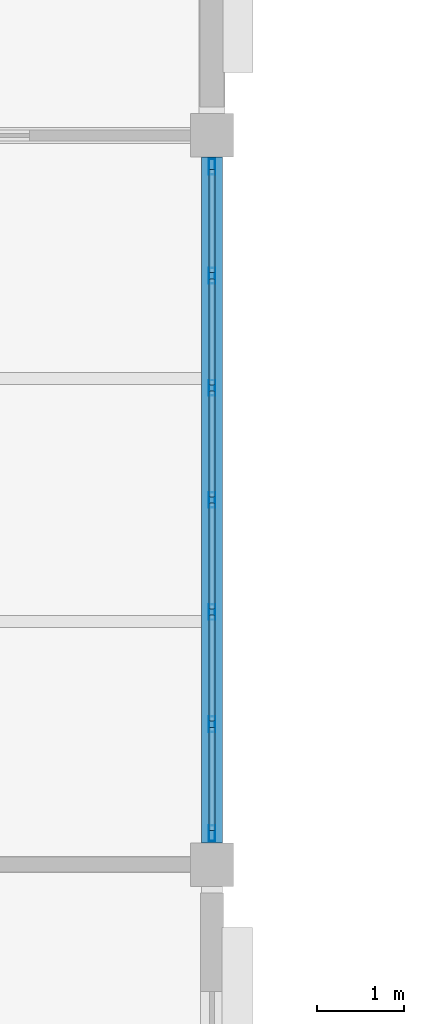
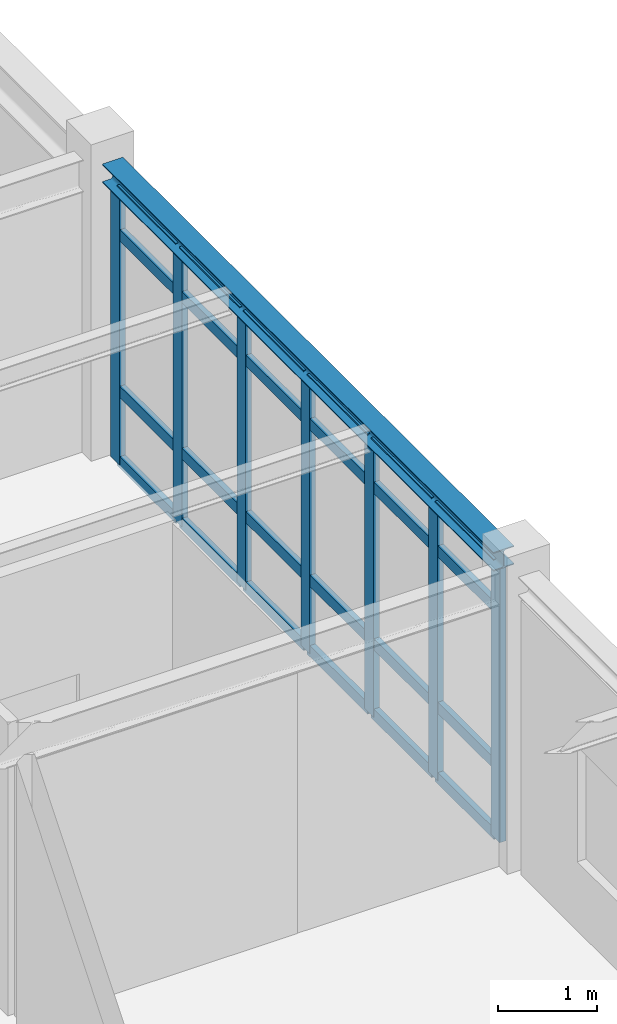
# One storey, part 11 of 53: 31 members, 1 beam, 1 element without a shape of its own.
"""IFC4 building model written with IfcOpenShell, lengths in metres."""

import ifcopenshell
import ifcopenshell.guid

model = None  # the IFC model being written
_history = None  # IfcOwnerHistory: only IFC2X3 demands one
_inside = {}  # id of a spatial element -> (the spatial element, [elements in it])
_under = {}  # id of a project, library or spatial element -> (it, [spatial elements below it])
_declared = {}  # id of a project -> (the project, [libraries it declares])
_typed = {}  # id of a type object -> (the type object, [elements of that type])
_made_of = {}  # id of a material, layer set ... -> (it, [elements and type objects made of it])


def new_model(schema):
    """Start an empty IFC model of exactly this schema.

    Asked for "IFC4X3", IfcOpenShell would pick the latest addendum, in which some entities
    have other attributes; the version numbers below select the first issue.
    IFC2X3 requires an IfcOwnerHistory on every rooted entity: one is made here for all.
    """
    global model, _history
    if schema == "IFC4X3":
        model = ifcopenshell.file(schema_version=(4, 3, 0, 0))
    else:
        model = ifcopenshell.file(schema=schema)
    _inside.clear()
    _under.clear()
    _declared.clear()
    _typed.clear()
    _made_of.clear()
    _history = None
    if model.schema == "IFC2X3":
        org = make("IfcOrganization", Name="unknown")
        user = make(
            "IfcPersonAndOrganization",
            ThePerson=make("IfcPerson", FamilyName="unknown"),
            TheOrganization=org,
        )
        app = make(
            "IfcApplication",
            ApplicationDeveloper=org,
            Version="unknown",
            ApplicationFullName="unknown",
            ApplicationIdentifier="unknown",
        )
        _history = make(
            "IfcOwnerHistory",
            OwningUser=user,
            OwningApplication=app,
            ChangeAction="ADDED",
            CreationDate=0,
        )
    return model


def make(cls, **values):
    """One entity of the class cls with the attributes given. An attribute that is None is left unset."""
    return model.create_entity(
        cls, **{name: value for name, value in values.items() if value is not None}
    )


def rooted(cls, **values):
    """An entity with a GlobalId (a new one), such as an element, a storey or a relation."""
    return make(cls, GlobalId=ifcopenshell.guid.new(), OwnerHistory=_history, **values)


def si_unit(unit_type, name, prefix=None):
    """IfcSIUnit, for example si_unit("LENGTHUNIT", "METRE", prefix="MILLI")."""
    return make("IfcSIUnit", UnitType=unit_type, Prefix=prefix, Name=name)


def assignment(units):
    """IfcUnitAssignment: the units of a project."""
    return None if units is None else make("IfcUnitAssignment", Units=units)


def point(xyz):
    """IfcCartesianPoint."""
    return None if xyz is None else make("IfcCartesianPoint", Coordinates=xyz)


def direction(xyz):
    """IfcDirection."""
    return None if xyz is None else make("IfcDirection", DirectionRatios=xyz)


def frame(location, z_axis=None, x_axis=None):
    """IfcAxis2Placement3D, a coordinate frame: its origin and axes. An axis left out is left unset."""
    return make(
        "IfcAxis2Placement3D",
        Location=point(location),
        Axis=direction(z_axis),
        RefDirection=direction(x_axis),
    )


def frame_2d(location, x_axis=None):
    """IfcAxis2Placement2D, a coordinate frame in the plane: its origin and x axis."""
    return make(
        "IfcAxis2Placement2D", Location=point(location), RefDirection=direction(x_axis)
    )


def origin():
    """The frame at (0, 0, 0) with its axes left unset."""
    return frame((0.0, 0.0, 0.0))


def origin_2d():
    """The frame at (0, 0) in the plane with its x axis left unset."""
    return frame_2d((0.0, 0.0))


def place(relative_to, where):
    """IfcLocalPlacement: puts the frame where relative to a parent placement (None: the world)."""
    return make(
        "IfcLocalPlacement", PlacementRelTo=relative_to, RelativePlacement=where
    )


def context(
    kind, dimensions, precision=None, world=None, true_north=None, identifier=None
):
    """IfcGeometricRepresentationContext, for example the 3D "Model" context."""
    return make(
        "IfcGeometricRepresentationContext",
        ContextIdentifier=identifier,
        ContextType=kind,
        CoordinateSpaceDimension=dimensions,
        Precision=precision,
        WorldCoordinateSystem=world,
        TrueNorth=true_north,
    )


def subcontext(parent, identifier, kind, view, scale=None):
    """IfcGeometricRepresentationSubContext, for example "Body" below "Model"."""
    return make(
        "IfcGeometricRepresentationSubContext",
        ContextIdentifier=identifier,
        ContextType=kind,
        ParentContext=parent,
        TargetScale=scale,
        TargetView=view,
    )


def project(units=None, contexts=None):
    """IfcProject with its units and contexts."""
    return rooted(
        "IfcProject",
        Name="project",
        RepresentationContexts=contexts,
        UnitsInContext=assignment(units),
    )


def spatial(cls, under=None, at=None, **own):
    """A site, building, storey or space (cls), placed at a placement, below another one or the project."""
    s = rooted(cls, ObjectPlacement=at, **own)
    if under is not None:
        _under.setdefault(under.id(), (under, []))[1].append(s)
    return s


def profile(cls, at=None, kind="AREA", **sizes):
    """A parametric profile (cls). Its sizes go by their IFC names, for example OverallWidth=200.0."""
    return make(cls, ProfileType=kind, Position=at, **sizes)


def hollow_rectangle(**sizes):
    """IfcRectangleHollowProfileDef."""
    return profile("IfcRectangleHollowProfileDef", **sizes)


def i_section(**sizes):
    """IfcIShapeProfileDef."""
    return profile("IfcIShapeProfileDef", **sizes)


def extrude(swept, where, along, depth):
    """IfcExtrudedAreaSolid: the profile swept, set in the frame where, extruded along a direction by depth."""
    return make(
        "IfcExtrudedAreaSolid",
        SweptArea=swept,
        Position=where,
        ExtrudedDirection=direction(along),
        Depth=depth,
    )


def shape(context_of_items, identifier, shape_type, items):
    """IfcShapeRepresentation: the items that make up one representation, for example the "Body"."""
    return make(
        "IfcShapeRepresentation",
        ContextOfItems=context_of_items,
        RepresentationIdentifier=identifier,
        RepresentationType=shape_type,
        Items=items,
    )


def material(Name=None, Category=None):
    """IfcMaterial."""
    return make("IfcMaterial", Name=Name, Category=Category)


def layer(
    of_material, thickness, ventilated=None, Name=None, Category=None, Priority=None
):
    """IfcMaterialLayer: one layer of a wall or slab, of a material (None: an air gap)."""
    return make(
        "IfcMaterialLayer",
        Material=of_material,
        LayerThickness=thickness,
        IsVentilated=ventilated,
        Name=Name,
        Category=Category,
        Priority=Priority,
    )


def layer_set(layers, Name=None):
    """IfcMaterialLayerSet."""
    return make("IfcMaterialLayerSet", MaterialLayers=layers, LayerSetName=Name)


def material_profile(
    of_material, cross_section, Name=None, Category=None, Priority=None
):
    """IfcMaterialProfile: a cross section and its material."""
    return make(
        "IfcMaterialProfile",
        Name=Name,
        Material=of_material,
        Profile=cross_section,
        Priority=Priority,
        Category=Category,
    )


def profile_set(profiles, Name=None, composite=None):
    """IfcMaterialProfileSet."""
    return make(
        "IfcMaterialProfileSet",
        Name=Name,
        MaterialProfiles=profiles,
        CompositeProfile=composite,
    )


def made_of(thing, what):
    """Note that an element or type object is made of a material, layer set ...; save() writes the relation."""
    if what is not None:
        _made_of.setdefault(what.id(), (what, []))[1].append(thing)
    return thing


def type_object(cls, material=None, **own):
    """A type object (cls), such as IfcWallType, which elements share."""
    return made_of(rooted(cls, **own), material)


def element(
    cls,
    number,
    at=None,
    inside=None,
    cuts=None,
    type_object=None,
    material=None,
    context=None,
    identifier="Body",
    shape_type=None,
    held_by="IfcProductDefinitionShape",
    body=None,
    shapes=None,
    **own,
):
    """One element of the class cls, such as IfcWall. Its Tag is "e" and its number.

    at: its placement. inside: the storey or other place that contains it. cuts: it is an
    opening in that element (IfcRelVoidsElement). A single representation is given by context,
    identifier, shape_type and body (its items); several are given by shapes. held_by: the class
    of the entity that holds the representations. save() writes the other relations.
    """
    e = rooted(cls, Tag="e%d" % number, ObjectPlacement=at, **own)
    if body is not None:
        shapes = [shape(context, identifier, shape_type, body)]
    if shapes is not None:
        e.Representation = make(held_by, Representations=shapes)
    if inside is not None:
        _inside.setdefault(inside.id(), (inside, []))[1].append(e)
    if cuts is not None:
        rooted(
            "IfcRelVoidsElement", RelatingBuildingElement=cuts, RelatedOpeningElement=e
        )
    if type_object is not None:
        _typed.setdefault(type_object.id(), (type_object, []))[1].append(e)
    return made_of(e, material)


def aggregate(whole, parts):
    """IfcRelAggregates: a whole, such as a stair, and the parts it consists of."""
    return rooted("IfcRelAggregates", RelatingObject=whole, RelatedObjects=parts)


def save(model, path):
    """Write the relations noted so far, then the file.

    IfcRelAggregates (storeys below a building ...), IfcRelContainedInSpatialStructure (elements
    in a storey), IfcRelDefinesByType, IfcRelAssociatesMaterial and IfcRelDeclares: one each for
    every whole, place, type object, material and project.
    """
    for whole, parts in _under.values():
        aggregate(whole, parts)
    for where, things in _inside.values():
        rooted(
            "IfcRelContainedInSpatialStructure",
            RelatedElements=things,
            RelatingStructure=where,
        )
    for kind, things in _typed.values():
        rooted("IfcRelDefinesByType", RelatedObjects=things, RelatingType=kind)
    for what, things in _made_of.values():
        rooted("IfcRelAssociatesMaterial", RelatedObjects=things, RelatingMaterial=what)
    for by, libraries in _declared.values():
        rooted("IfcRelDeclares", RelatingContext=by, RelatedDefinitions=libraries)
    model.write(path)


model = new_model("IFC4")

# Units and contexts
model_context = context("Model", 3, precision=1e-05, world=origin(), true_north=direction((0.0, 1.0)))
body_context = subcontext(model_context, "Body", "Model", "MODEL_VIEW")
ifc_project = project(units=[si_unit("LENGTHUNIT", "METRE"), si_unit("AREAUNIT", "SQUARE_METRE"), si_unit("VOLUMEUNIT", "CUBIC_METRE"), si_unit("PLANEANGLEUNIT", "RADIAN"), si_unit("MASSUNIT", "GRAM", prefix="KILO")], contexts=[model_context])

# Site, building, storey
site_placement = place(None, origin())
site = spatial("IfcSite", under=ifc_project, at=site_placement, CompositionType="ELEMENT")
building_placement = place(site_placement, origin())
building = spatial("IfcBuilding", under=site, at=building_placement, Name="Bramfleet General Hospital", CompositionType="ELEMENT")
storey_placement = place(building_placement, frame((0.0, 0.0, 26.39990234375)))
storey = spatial("IfcBuildingStorey", under=building, at=storey_placement, Name="L06", CompositionType="ELEMENT", Elevation=26.39990234375)

# Beam
ifc_material_1 = material(Name="Steel S355", Category="steel")
ifc_material_profile_1 = material_profile(ifc_material_1, i_section(OverallWidth=0.239990234375, OverallDepth=0.22998046875, WebThickness=0.007568359375, FlangeThickness=0.011962890625, FilletRadius=0.02099609375, at=origin_2d()), Name="HEA 240")
ifc_profile_set_1 = profile_set([ifc_material_profile_1], Name="Steel S355")
beam_type = type_object("IfcBeamType", Name="BM-HEA240", PredefinedType="SPANDREL", material=ifc_profile_set_1)
beam_placement = place(storey_placement, frame((117.60009765625, 50.64990234375, 3.505126953125), z_axis=(0.0, 1.0, 0.0), x_axis=(-1.0, 0.0, 0.0)))
element("IfcBeam", 1, at=beam_placement, inside=storey, type_object=beam_type, Name="L06 Grid Beam Y 14-06", PredefinedType="SPANDREL", context=body_context, shape_type="SweptSolid", body=[
    extrude(i_section(OverallWidth=0.239990234375, OverallDepth=0.22998046875, WebThickness=0.007568359375, FlangeThickness=0.011962890625, FilletRadius=0.02099609375, at=origin_2d()), origin(), (0.0, 0.0, 1.0), 7.900146484375),
])

# Curtain wall, members
ifc_material_2 = material(Name="Anodised aluminium and low-E triple glazing", Category="aluminium")
ifc_layer = layer(ifc_material_2, 0.179931640625, Name="CWT-CW-02")
ifc_layer_set = layer_set([ifc_layer], Name="Anodised aluminium and low-E triple glazing")
curtain_wall_type = type_object("IfcCurtainWallType", Name="CWT-CW-02", PredefinedType="USERDEFINED", material=ifc_layer_set)
curtain_wall_placement = place(storey_placement, origin())
curtain_wall = element("IfcCurtainWall", 2, at=curtain_wall_placement, inside=storey, type_object=curtain_wall_type, Name="L06 Curtain Wall 218", ObjectType="Unitised curtain wall", PredefinedType="USERDEFINED")
ifc_material_3 = material(Name="Anodised aluminium EN AW-6060", Category="aluminium")
ifc_material_profile_2 = material_profile(ifc_material_3, hollow_rectangle(XDim=0.070068359375, YDim=0.179931640625, WallThickness=0.00390625, at=origin_2d()), Name="ALU 180x70x4.0")
ifc_profile_set_2 = profile_set([ifc_material_profile_2], Name="Anodised aluminium EN AW-6060")
member_type_1 = type_object("IfcMemberType", Name="CWM-ALU180", PredefinedType="MULLION", material=ifc_profile_set_2)
member_1_placement = place(storey_placement, frame((117.60009765625, 58.43994140625, 0.0), z_axis=(0.0, 0.0, 1.0), x_axis=(1.0, 0.0, 0.0)))
member_1 = element("IfcMember", 3, at=member_1_placement, type_object=member_type_1, Name="CW-02 mullion 1", PredefinedType="MULLION", context=body_context, shape_type="SweptSolid", body=[
    extrude(hollow_rectangle(XDim=0.070068359375, YDim=0.179931640625, WallThickness=0.00390625, at=origin_2d()), origin(), (0.0, 0.0, 1.0), 3.380126953125),
])
member_2_placement = place(storey_placement, frame((117.60009765625, 57.183349609375, 0.0), z_axis=(0.0, 0.0, 1.0), x_axis=(1.0, 0.0, 0.0)))
member_2 = element("IfcMember", 4, at=member_2_placement, type_object=member_type_1, Name="CW-02 mullion 2", PredefinedType="MULLION", context=body_context, shape_type="SweptSolid", body=[
    extrude(hollow_rectangle(XDim=0.070068359375, YDim=0.179931640625, WallThickness=0.00390625, at=origin_2d()), origin(), (0.0, 0.0, 1.0), 3.380126953125),
])
member_3_placement = place(storey_placement, frame((117.60009765625, 55.8916015625, 0.0), z_axis=(0.0, 0.0, 1.0), x_axis=(1.0, 0.0, 0.0)))
member_3 = element("IfcMember", 5, at=member_3_placement, type_object=member_type_1, Name="CW-02 mullion 3", PredefinedType="MULLION", context=body_context, shape_type="SweptSolid", body=[
    extrude(hollow_rectangle(XDim=0.070068359375, YDim=0.179931640625, WallThickness=0.00390625, at=origin_2d()), origin(), (0.0, 0.0, 1.0), 3.380126953125),
])
member_4_placement = place(storey_placement, frame((117.60009765625, 54.60009765625, 0.0), z_axis=(0.0, 0.0, 1.0), x_axis=(1.0, 0.0, 0.0)))
member_4 = element("IfcMember", 6, at=member_4_placement, type_object=member_type_1, Name="CW-02 mullion 4", PredefinedType="MULLION", context=body_context, shape_type="SweptSolid", body=[
    extrude(hollow_rectangle(XDim=0.070068359375, YDim=0.179931640625, WallThickness=0.00390625, at=origin_2d()), origin(), (0.0, 0.0, 1.0), 3.380126953125),
])
member_5_placement = place(storey_placement, frame((117.60009765625, 53.308349609375, 0.0), z_axis=(0.0, 0.0, 1.0), x_axis=(1.0, 0.0, 0.0)))
member_5 = element("IfcMember", 7, at=member_5_placement, type_object=member_type_1, Name="CW-02 mullion 5", PredefinedType="MULLION", context=body_context, shape_type="SweptSolid", body=[
    extrude(hollow_rectangle(XDim=0.070068359375, YDim=0.179931640625, WallThickness=0.00390625, at=origin_2d()), origin(), (0.0, 0.0, 1.0), 3.380126953125),
])
member_6_placement = place(storey_placement, frame((117.60009765625, 52.0166015625, 0.0), z_axis=(0.0, 0.0, 1.0), x_axis=(1.0, 0.0, 0.0)))
member_6 = element("IfcMember", 8, at=member_6_placement, type_object=member_type_1, Name="CW-02 mullion 6", PredefinedType="MULLION", context=body_context, shape_type="SweptSolid", body=[
    extrude(hollow_rectangle(XDim=0.070068359375, YDim=0.179931640625, WallThickness=0.00390625, at=origin_2d()), origin(), (0.0, 0.0, 1.0), 3.380126953125),
])
member_7_placement = place(storey_placement, frame((117.60009765625, 50.760009765625, 0.0), z_axis=(0.0, 0.0, 1.0), x_axis=(1.0, 0.0, 0.0)))
member_7 = element("IfcMember", 9, at=member_7_placement, type_object=member_type_1, Name="CW-02 mullion 7", PredefinedType="MULLION", context=body_context, shape_type="SweptSolid", body=[
    extrude(hollow_rectangle(XDim=0.070068359375, YDim=0.179931640625, WallThickness=0.00390625, at=origin_2d()), origin(), (0.0, 0.0, 1.0), 3.380126953125),
])
ifc_material_profile_3 = material_profile(ifc_material_3, hollow_rectangle(XDim=0.06494140625, YDim=0.139892578125, WallThickness=0.00390625, at=origin_2d()), Name="ALU 140x65x4.0")
ifc_profile_set_3 = profile_set([ifc_material_profile_3], Name="Anodised aluminium EN AW-6060")
member_type_2 = type_object("IfcMemberType", Name="CWT-ALU140", PredefinedType="USERDEFINED", material=ifc_profile_set_3)
member_8_placement = place(storey_placement, frame((117.60009765625, 58.405029296875, 0.03271484375), z_axis=(0.0, -1.0, 0.0), x_axis=(1.0, 0.0, 0.0)))
member_8 = element("IfcMember", 10, at=member_8_placement, type_object=member_type_2, Name="CW-02 transom 1.1", ObjectType="TRANSOM", PredefinedType="USERDEFINED", context=body_context, shape_type="SweptSolid", body=[
    extrude(hollow_rectangle(XDim=0.06494140625, YDim=0.139892578125, WallThickness=0.00390625, at=origin_2d()), origin(), (0.0, 0.0, 1.0), 1.186767578125),
])
member_9_placement = place(storey_placement, frame((117.60009765625, 58.405029296875, 0.900146484375), z_axis=(0.0, -1.0, 0.0), x_axis=(1.0, 0.0, 0.0)))
member_9 = element("IfcMember", 11, at=member_9_placement, type_object=member_type_2, Name="CW-02 transom 1.2", ObjectType="TRANSOM", PredefinedType="USERDEFINED", context=body_context, shape_type="SweptSolid", body=[
    extrude(hollow_rectangle(XDim=0.06494140625, YDim=0.139892578125, WallThickness=0.00390625, at=origin_2d()), origin(), (0.0, 0.0, 1.0), 1.186767578125),
])
member_10_placement = place(storey_placement, frame((117.60009765625, 58.405029296875, 2.830078125), z_axis=(0.0, -1.0, 0.0), x_axis=(1.0, 0.0, 0.0)))
member_10 = element("IfcMember", 12, at=member_10_placement, type_object=member_type_2, Name="CW-02 transom 1.3", ObjectType="TRANSOM", PredefinedType="USERDEFINED", context=body_context, shape_type="SweptSolid", body=[
    extrude(hollow_rectangle(XDim=0.06494140625, YDim=0.139892578125, WallThickness=0.00390625, at=origin_2d()), origin(), (0.0, 0.0, 1.0), 1.186767578125),
])
member_11_placement = place(storey_placement, frame((117.60009765625, 58.405029296875, 3.34765625), z_axis=(0.0, -1.0, 0.0), x_axis=(1.0, 0.0, 0.0)))
member_11 = element("IfcMember", 13, at=member_11_placement, type_object=member_type_2, Name="CW-02 transom 1.4", ObjectType="TRANSOM", PredefinedType="USERDEFINED", context=body_context, shape_type="SweptSolid", body=[
    extrude(hollow_rectangle(XDim=0.06494140625, YDim=0.139892578125, WallThickness=0.00390625, at=origin_2d()), origin(), (0.0, 0.0, 1.0), 1.186767578125),
])
member_12_placement = place(storey_placement, frame((117.60009765625, 57.1484375, 0.03271484375), z_axis=(0.0, -1.0, 0.0), x_axis=(1.0, 0.0, 0.0)))
member_12 = element("IfcMember", 14, at=member_12_placement, type_object=member_type_2, Name="CW-02 transom 2.1", ObjectType="TRANSOM", PredefinedType="USERDEFINED", context=body_context, shape_type="SweptSolid", body=[
    extrude(hollow_rectangle(XDim=0.06494140625, YDim=0.139892578125, WallThickness=0.00390625, at=origin_2d()), origin(), (0.0, 0.0, 1.0), 1.2216796875),
])
member_13_placement = place(storey_placement, frame((117.60009765625, 57.1484375, 0.900146484375), z_axis=(0.0, -1.0, 0.0), x_axis=(1.0, 0.0, 0.0)))
member_13 = element("IfcMember", 15, at=member_13_placement, type_object=member_type_2, Name="CW-02 transom 2.2", ObjectType="TRANSOM", PredefinedType="USERDEFINED", context=body_context, shape_type="SweptSolid", body=[
    extrude(hollow_rectangle(XDim=0.06494140625, YDim=0.139892578125, WallThickness=0.00390625, at=origin_2d()), origin(), (0.0, 0.0, 1.0), 1.2216796875),
])
member_14_placement = place(storey_placement, frame((117.60009765625, 57.1484375, 2.830078125), z_axis=(0.0, -1.0, 0.0), x_axis=(1.0, 0.0, 0.0)))
member_14 = element("IfcMember", 16, at=member_14_placement, type_object=member_type_2, Name="CW-02 transom 2.3", ObjectType="TRANSOM", PredefinedType="USERDEFINED", context=body_context, shape_type="SweptSolid", body=[
    extrude(hollow_rectangle(XDim=0.06494140625, YDim=0.139892578125, WallThickness=0.00390625, at=origin_2d()), origin(), (0.0, 0.0, 1.0), 1.2216796875),
])
member_15_placement = place(storey_placement, frame((117.60009765625, 57.1484375, 3.34765625), z_axis=(0.0, -1.0, 0.0), x_axis=(1.0, 0.0, 0.0)))
member_15 = element("IfcMember", 17, at=member_15_placement, type_object=member_type_2, Name="CW-02 transom 2.4", ObjectType="TRANSOM", PredefinedType="USERDEFINED", context=body_context, shape_type="SweptSolid", body=[
    extrude(hollow_rectangle(XDim=0.06494140625, YDim=0.139892578125, WallThickness=0.00390625, at=origin_2d()), origin(), (0.0, 0.0, 1.0), 1.2216796875),
])
member_16_placement = place(storey_placement, frame((117.60009765625, 55.856689453125, 0.03271484375), z_axis=(0.0, -1.0, 0.0), x_axis=(1.0, 0.0, 0.0)))
member_16 = element("IfcMember", 18, at=member_16_placement, type_object=member_type_2, Name="CW-02 transom 3.1", ObjectType="TRANSOM", PredefinedType="USERDEFINED", context=body_context, shape_type="SweptSolid", body=[
    extrude(hollow_rectangle(XDim=0.06494140625, YDim=0.139892578125, WallThickness=0.00390625, at=origin_2d()), origin(), (0.0, 0.0, 1.0), 1.2216796875),
])
member_17_placement = place(storey_placement, frame((117.60009765625, 55.856689453125, 0.900146484375), z_axis=(0.0, -1.0, 0.0), x_axis=(1.0, 0.0, 0.0)))
member_17 = element("IfcMember", 19, at=member_17_placement, type_object=member_type_2, Name="CW-02 transom 3.2", ObjectType="TRANSOM", PredefinedType="USERDEFINED", context=body_context, shape_type="SweptSolid", body=[
    extrude(hollow_rectangle(XDim=0.06494140625, YDim=0.139892578125, WallThickness=0.00390625, at=origin_2d()), origin(), (0.0, 0.0, 1.0), 1.2216796875),
])
member_18_placement = place(storey_placement, frame((117.60009765625, 55.856689453125, 2.830078125), z_axis=(0.0, -1.0, 0.0), x_axis=(1.0, 0.0, 0.0)))
member_18 = element("IfcMember", 20, at=member_18_placement, type_object=member_type_2, Name="CW-02 transom 3.3", ObjectType="TRANSOM", PredefinedType="USERDEFINED", context=body_context, shape_type="SweptSolid", body=[
    extrude(hollow_rectangle(XDim=0.06494140625, YDim=0.139892578125, WallThickness=0.00390625, at=origin_2d()), origin(), (0.0, 0.0, 1.0), 1.2216796875),
])
member_19_placement = place(storey_placement, frame((117.60009765625, 55.856689453125, 3.34765625), z_axis=(0.0, -1.0, 0.0), x_axis=(1.0, 0.0, 0.0)))
member_19 = element("IfcMember", 21, at=member_19_placement, type_object=member_type_2, Name="CW-02 transom 3.4", ObjectType="TRANSOM", PredefinedType="USERDEFINED", context=body_context, shape_type="SweptSolid", body=[
    extrude(hollow_rectangle(XDim=0.06494140625, YDim=0.139892578125, WallThickness=0.00390625, at=origin_2d()), origin(), (0.0, 0.0, 1.0), 1.2216796875),
])
member_20_placement = place(storey_placement, frame((117.60009765625, 54.56494140625, 0.03271484375), z_axis=(0.0, -1.0, 0.0), x_axis=(1.0, 0.0, 0.0)))
member_20 = element("IfcMember", 22, at=member_20_placement, type_object=member_type_2, Name="CW-02 transom 4.1", ObjectType="TRANSOM", PredefinedType="USERDEFINED", context=body_context, shape_type="SweptSolid", body=[
    extrude(hollow_rectangle(XDim=0.06494140625, YDim=0.139892578125, WallThickness=0.00390625, at=origin_2d()), origin(), (0.0, 0.0, 1.0), 1.2216796875),
])
member_21_placement = place(storey_placement, frame((117.60009765625, 54.56494140625, 0.900146484375), z_axis=(0.0, -1.0, 0.0), x_axis=(1.0, 0.0, 0.0)))
member_21 = element("IfcMember", 23, at=member_21_placement, type_object=member_type_2, Name="CW-02 transom 4.2", ObjectType="TRANSOM", PredefinedType="USERDEFINED", context=body_context, shape_type="SweptSolid", body=[
    extrude(hollow_rectangle(XDim=0.06494140625, YDim=0.139892578125, WallThickness=0.00390625, at=origin_2d()), origin(), (0.0, 0.0, 1.0), 1.2216796875),
])
member_22_placement = place(storey_placement, frame((117.60009765625, 54.56494140625, 2.830078125), z_axis=(0.0, -1.0, 0.0), x_axis=(1.0, 0.0, 0.0)))
member_22 = element("IfcMember", 24, at=member_22_placement, type_object=member_type_2, Name="CW-02 transom 4.3", ObjectType="TRANSOM", PredefinedType="USERDEFINED", context=body_context, shape_type="SweptSolid", body=[
    extrude(hollow_rectangle(XDim=0.06494140625, YDim=0.139892578125, WallThickness=0.00390625, at=origin_2d()), origin(), (0.0, 0.0, 1.0), 1.2216796875),
])
member_23_placement = place(storey_placement, frame((117.60009765625, 54.56494140625, 3.34765625), z_axis=(0.0, -1.0, 0.0), x_axis=(1.0, 0.0, 0.0)))
member_23 = element("IfcMember", 25, at=member_23_placement, type_object=member_type_2, Name="CW-02 transom 4.4", ObjectType="TRANSOM", PredefinedType="USERDEFINED", context=body_context, shape_type="SweptSolid", body=[
    extrude(hollow_rectangle(XDim=0.06494140625, YDim=0.139892578125, WallThickness=0.00390625, at=origin_2d()), origin(), (0.0, 0.0, 1.0), 1.2216796875),
])
member_24_placement = place(storey_placement, frame((117.60009765625, 53.2734375, 0.03271484375), z_axis=(0.0, -1.0, 0.0), x_axis=(1.0, 0.0, 0.0)))
member_24 = element("IfcMember", 26, at=member_24_placement, type_object=member_type_2, Name="CW-02 transom 5.1", ObjectType="TRANSOM", PredefinedType="USERDEFINED", context=body_context, shape_type="SweptSolid", body=[
    extrude(hollow_rectangle(XDim=0.06494140625, YDim=0.139892578125, WallThickness=0.00390625, at=origin_2d()), origin(), (0.0, 0.0, 1.0), 1.2216796875),
])
member_25_placement = place(storey_placement, frame((117.60009765625, 53.2734375, 0.900146484375), z_axis=(0.0, -1.0, 0.0), x_axis=(1.0, 0.0, 0.0)))
member_25 = element("IfcMember", 27, at=member_25_placement, type_object=member_type_2, Name="CW-02 transom 5.2", ObjectType="TRANSOM", PredefinedType="USERDEFINED", context=body_context, shape_type="SweptSolid", body=[
    extrude(hollow_rectangle(XDim=0.06494140625, YDim=0.139892578125, WallThickness=0.00390625, at=origin_2d()), origin(), (0.0, 0.0, 1.0), 1.2216796875),
])
member_26_placement = place(storey_placement, frame((117.60009765625, 53.2734375, 2.830078125), z_axis=(0.0, -1.0, 0.0), x_axis=(1.0, 0.0, 0.0)))
member_26 = element("IfcMember", 28, at=member_26_placement, type_object=member_type_2, Name="CW-02 transom 5.3", ObjectType="TRANSOM", PredefinedType="USERDEFINED", context=body_context, shape_type="SweptSolid", body=[
    extrude(hollow_rectangle(XDim=0.06494140625, YDim=0.139892578125, WallThickness=0.00390625, at=origin_2d()), origin(), (0.0, 0.0, 1.0), 1.2216796875),
])
member_27_placement = place(storey_placement, frame((117.60009765625, 53.2734375, 3.34765625), z_axis=(0.0, -1.0, 0.0), x_axis=(1.0, 0.0, 0.0)))
member_27 = element("IfcMember", 29, at=member_27_placement, type_object=member_type_2, Name="CW-02 transom 5.4", ObjectType="TRANSOM", PredefinedType="USERDEFINED", context=body_context, shape_type="SweptSolid", body=[
    extrude(hollow_rectangle(XDim=0.06494140625, YDim=0.139892578125, WallThickness=0.00390625, at=origin_2d()), origin(), (0.0, 0.0, 1.0), 1.2216796875),
])
member_28_placement = place(storey_placement, frame((117.60009765625, 51.981689453125, 0.03271484375), z_axis=(0.0, -1.0, 0.0), x_axis=(1.0, 0.0, 0.0)))
member_28 = element("IfcMember", 30, at=member_28_placement, type_object=member_type_2, Name="CW-02 transom 6.1", ObjectType="TRANSOM", PredefinedType="USERDEFINED", context=body_context, shape_type="SweptSolid", body=[
    extrude(hollow_rectangle(XDim=0.06494140625, YDim=0.139892578125, WallThickness=0.00390625, at=origin_2d()), origin(), (0.0, 0.0, 1.0), 1.186767578125),
])
member_29_placement = place(storey_placement, frame((117.60009765625, 51.981689453125, 0.900146484375), z_axis=(0.0, -1.0, 0.0), x_axis=(1.0, 0.0, 0.0)))
member_29 = element("IfcMember", 31, at=member_29_placement, type_object=member_type_2, Name="CW-02 transom 6.2", ObjectType="TRANSOM", PredefinedType="USERDEFINED", context=body_context, shape_type="SweptSolid", body=[
    extrude(hollow_rectangle(XDim=0.06494140625, YDim=0.139892578125, WallThickness=0.00390625, at=origin_2d()), origin(), (0.0, 0.0, 1.0), 1.186767578125),
])
member_30_placement = place(storey_placement, frame((117.60009765625, 51.981689453125, 2.830078125), z_axis=(0.0, -1.0, 0.0), x_axis=(1.0, 0.0, 0.0)))
member_30 = element("IfcMember", 32, at=member_30_placement, type_object=member_type_2, Name="CW-02 transom 6.3", ObjectType="TRANSOM", PredefinedType="USERDEFINED", context=body_context, shape_type="SweptSolid", body=[
    extrude(hollow_rectangle(XDim=0.06494140625, YDim=0.139892578125, WallThickness=0.00390625, at=origin_2d()), origin(), (0.0, 0.0, 1.0), 1.186767578125),
])
member_31_placement = place(storey_placement, frame((117.60009765625, 51.981689453125, 3.34765625), z_axis=(0.0, -1.0, 0.0), x_axis=(1.0, 0.0, 0.0)))
member_31 = element("IfcMember", 33, at=member_31_placement, type_object=member_type_2, Name="CW-02 transom 6.4", ObjectType="TRANSOM", PredefinedType="USERDEFINED", context=body_context, shape_type="SweptSolid", body=[
    extrude(hollow_rectangle(XDim=0.06494140625, YDim=0.139892578125, WallThickness=0.00390625, at=origin_2d()), origin(), (0.0, 0.0, 1.0), 1.186767578125),
])
aggregate(curtain_wall, [member_1, member_2, member_3, member_4, member_5, member_6, member_7, member_8, member_9, member_10, member_11, member_12, member_13, member_14, member_15, member_16, member_17, member_18, member_19, member_20, member_21, member_22, member_23, member_24, member_25, member_26, member_27, member_28, member_29, member_30, member_31])

save(model, "model.ifc")
